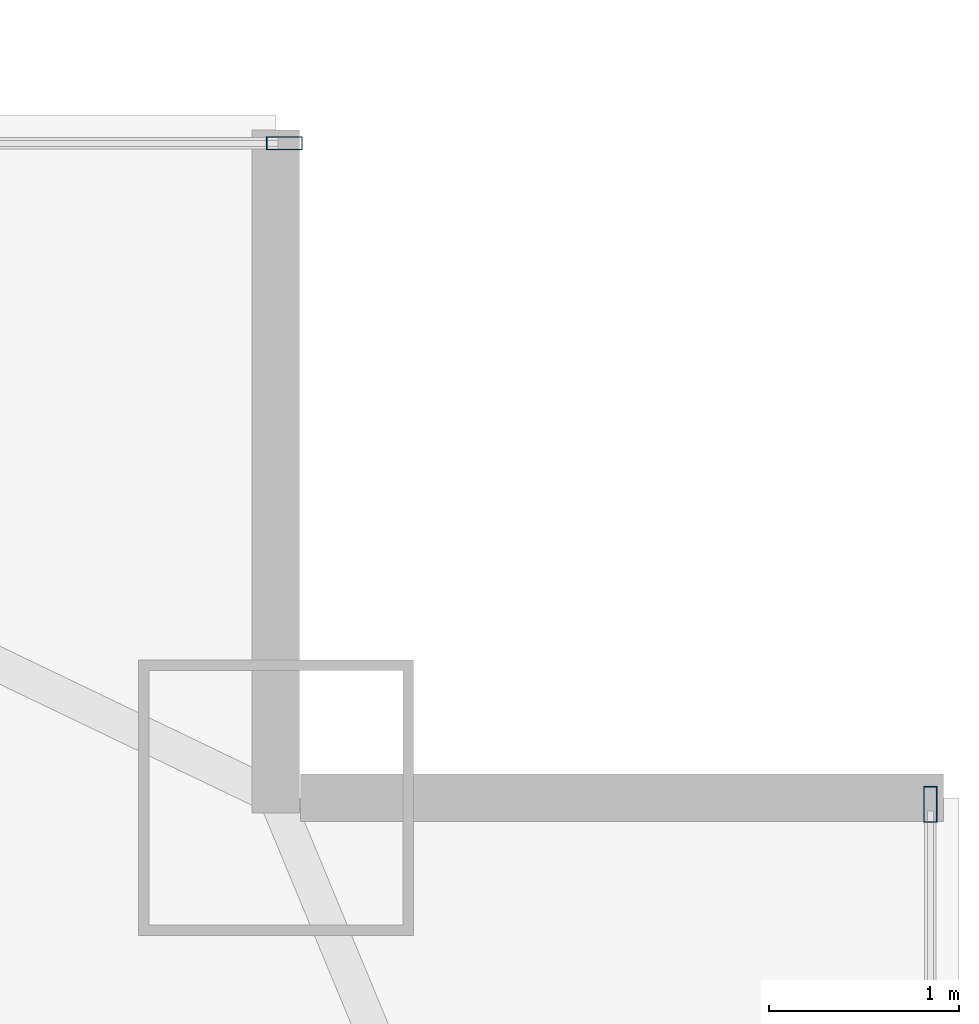
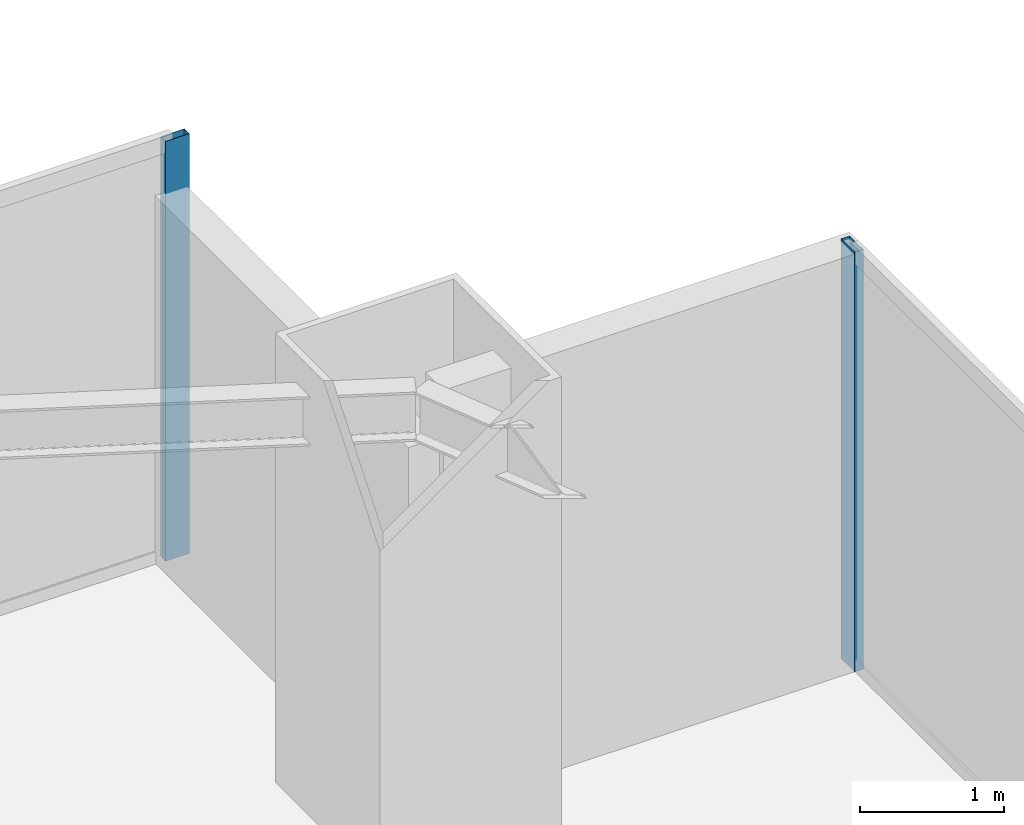
# One storey, part 27 of 37: 2 members, 2 elements without a shape of their own.
"""IFC4 building model written with IfcOpenShell, lengths in metres."""

from ifc_helpers import new_model, si_unit, direction, frame, origin, origin_2d, place, context, subcontext, project, spatial, hollow_rectangle, extrude, source, transform, mapped, material, layer, layer_set, material_profile, profile_set, type_object, type_shapes, element, aggregate, save


model = new_model("IFC4")

# Units and contexts
model_context = context("Model", 3, precision=1e-05, world=origin(), true_north=direction((0.0, 1.0)))
body_context = subcontext(model_context, "Body", "Model", "MODEL_VIEW")
ifc_project = project(units=[si_unit("LENGTHUNIT", "METRE"), si_unit("AREAUNIT", "SQUARE_METRE"), si_unit("VOLUMEUNIT", "CUBIC_METRE"), si_unit("PLANEANGLEUNIT", "RADIAN"), si_unit("MASSUNIT", "GRAM", prefix="KILO")], contexts=[model_context])

# Site, building, storey
site_placement = place(None, origin())
site = spatial("IfcSite", under=ifc_project, at=site_placement, CompositionType="ELEMENT")
building_placement = place(site_placement, origin())
building = spatial("IfcBuilding", under=site, at=building_placement, Name="Varnel Quay Broadcast Tower", CompositionType="ELEMENT")
storey_placement = place(building_placement, frame((0.0, 0.0, 103.0)))
storey = spatial("IfcBuildingStorey", under=building, at=storey_placement, Name="L24", CompositionType="ELEMENT", Elevation=103.0)

# Curtain wall, member
ifc_material = material(Name="Anodised Bronze Aluminium 6063-T6", Category="aluminium")
ifc_layer = layer(ifc_material, 0.18994140625, Name="Anodised Bronze Aluminium 6063-T6")
ifc_layer_set = layer_set([ifc_layer], Name="Anodised Bronze Aluminium 6063-T6")
curtain_wall_type = type_object("IfcCurtainWallType", Name="CW_LowerTower", PredefinedType="NOTDEFINED", material=ifc_layer_set)
curtain_wall_1_placement = place(storey_placement, origin())
curtain_wall_1 = element("IfcCurtainWall", 1, at=curtain_wall_1_placement, inside=storey, type_object=curtain_wall_type, Name="L24 East Unitised Curtain Wall", PredefinedType="NOTDEFINED")
ifc_material_profile = material_profile(ifc_material, hollow_rectangle(XDim=0.070068359375, YDim=0.18994140625, WallThickness=0.00390625, at=origin_2d()), Name="ALU70X190X4")
ifc_profile_set = profile_set([ifc_material_profile], Name="Anodised Bronze Aluminium 6063-T6")
member_type = type_object("IfcMemberType", Name="Mull_CWS-02", PredefinedType="MULLION", material=ifc_profile_set)
shared_shape = source(origin(), body_context, "Body", "SweptSolid", [
    extrude(hollow_rectangle(XDim=0.070068359375, YDim=0.18994140625, WallThickness=0.00390625, at=origin_2d()), origin(), (0.0, 0.0, 1.0), 3.550048828125),
])
type_shapes(member_type, [shared_shape])
member_1_placement = place(storey_placement, frame((63.35009765625, 43.1650390625, 0.0), z_axis=(0.0, 0.0, 1.0), x_axis=(-1.0, 0.0, 0.0)))
member_1 = element("IfcMember", 2, at=member_1_placement, type_object=member_type, Name="CWS-02 mullion 4", PredefinedType="MULLION", context=body_context, shape_type="MappedRepresentation", body=[
    mapped(shared_shape, transform((0.0, 0.0, 0.0), x_axis=(1.0, 0.0, 0.0), y_axis=(0.0, 1.0, 0.0), z_axis=(0.0, 0.0, 1.0), scale=1.0)),
])
aggregate(curtain_wall_1, [member_1])

curtain_wall_2_placement = place(storey_placement, origin())
curtain_wall_2 = element("IfcCurtainWall", 3, at=curtain_wall_2_placement, inside=storey, type_object=curtain_wall_type, Name="L24 NE Wing Curtain Wall", PredefinedType="NOTDEFINED")
member_2_placement = place(storey_placement, frame((59.945068359375, 46.64990234375, 0.0), z_axis=(0.0, 0.0, 1.0), x_axis=(0.0, 1.0, 0.0)))
member_2 = element("IfcMember", 4, at=member_2_placement, type_object=member_type, Name="CWS-02 mullion 2", PredefinedType="MULLION", context=body_context, shape_type="MappedRepresentation", body=[
    mapped(shared_shape, transform((0.0, 0.0, 0.0), x_axis=(1.0, 0.0, 0.0), y_axis=(0.0, 1.0, 0.0), z_axis=(0.0, 0.0, 1.0), scale=1.0)),
])
aggregate(curtain_wall_2, [member_2])

save(model, "model.ifc")
